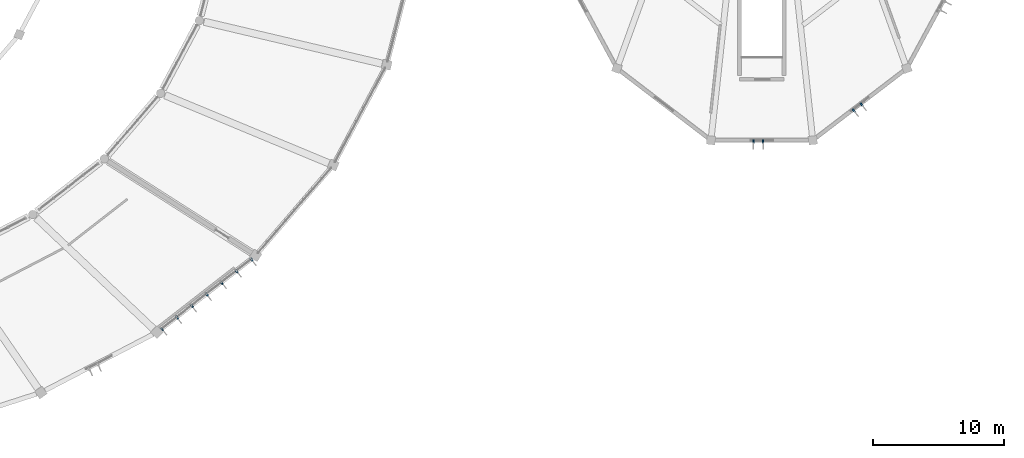
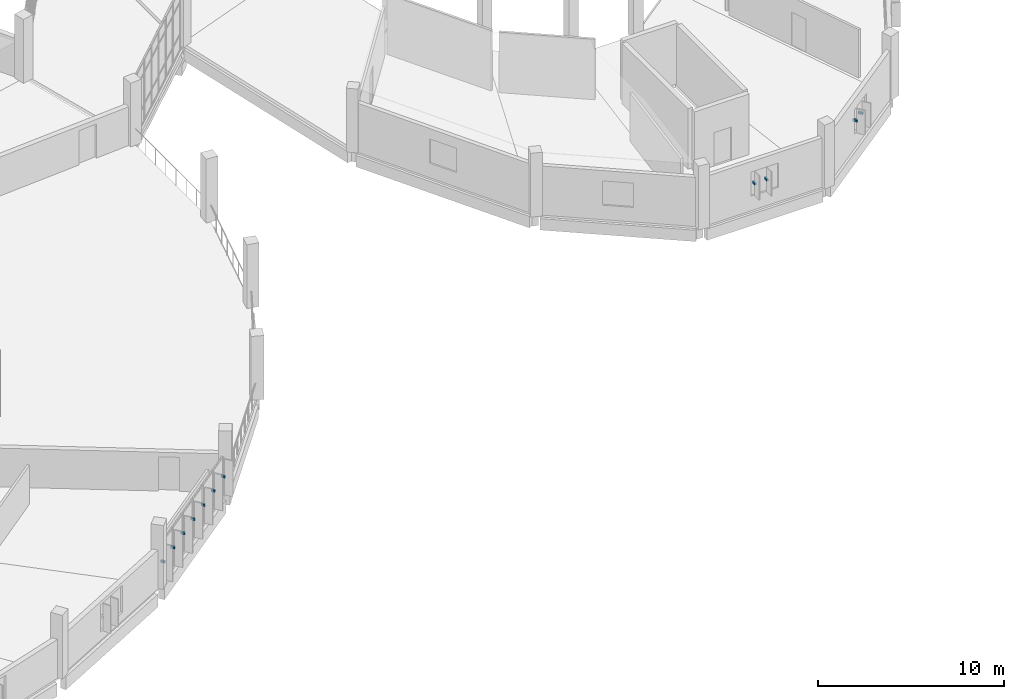
# One storey, part 115 of 142: 11 discrete accessories.
"""IFC4 building model written with IfcOpenShell, lengths in metres."""

from ifc_helpers import new_model, si_unit, direction, frame, origin, origin_2d, place, context, subcontext, project, spatial, rectangle, extrude, material, type_object, element, save


model = new_model("IFC4")

# Units and contexts
model_context = context("Model", 3, precision=1e-05, world=origin(), true_north=direction((0.0, 1.0)))
body_context = subcontext(model_context, "Body", "Model", "MODEL_VIEW")
ifc_project = project(units=[si_unit("LENGTHUNIT", "METRE"), si_unit("AREAUNIT", "SQUARE_METRE"), si_unit("VOLUMEUNIT", "CUBIC_METRE"), si_unit("PLANEANGLEUNIT", "RADIAN"), si_unit("MASSUNIT", "GRAM", prefix="KILO")], contexts=[model_context])

# Site, building, storey
site_placement = place(None, origin())
site = spatial("IfcSite", under=ifc_project, at=site_placement, CompositionType="ELEMENT")
building_placement = place(site_placement, origin())
building = spatial("IfcBuilding", under=site, at=building_placement, Name="Corvandel Quay Wholesale Market", CompositionType="ELEMENT")
storey_placement = place(building_placement, frame((0.0, 0.0, 10.800048828125)))
storey = spatial("IfcBuildingStorey", under=building, at=storey_placement, Name="L02", CompositionType="ELEMENT", Elevation=10.800048828125)

# Discrete accessories
ifc_material = material(Name="Austenitic stainless steel Grade 316", Category="steel")
discrete_accessory_type = type_object("IfcDiscreteAccessoryType", Name="Stainless Solar Fin Fixing Bracket BRK01", PredefinedType="USERDEFINED", material=ifc_material)
for number, where, z_axis, x_axis, name in (
    (1, (148.81494140625, 9.60498046875, 1.205078125), (0.0, 0.0, 1.0), (-0.614009720373, 0.789298462742, 0.0), "Fin Bracket 0210"),
    (2, (149.9501953125, 10.488037109375, 1.205078125), (0.0, 0.0, 1.0), (-0.614009720373, 0.789298462742, 0.0), "Fin Bracket 0211"),
    (3, (151.085693359375, 11.37109375, 1.205078125), (0.0, 0.0, 1.0), (-0.614009720373, 0.789298462742, 0.0), "Fin Bracket 0212"),
    (4, (152.220703125, 12.254150390625, 1.205078125), (0.0, 0.0, 1.0), (-0.614009720373, 0.789298462742, 0.0), "Fin Bracket 0213"),
    (5, (153.356201171875, 13.13720703125, 1.205078125), (0.0, 0.0, 1.0), (-0.614009720373, 0.789298462742, 0.0), "Fin Bracket 0214"),
    (6, (154.491455078125, 14.020263671875, 1.205078125), (0.0, 0.0, 1.0), (-0.614009720373, 0.789298462742, 0.0), "Fin Bracket 0215"),
    (7, (155.626708984375, 14.9033203125, 1.205078125), (0.0, 0.0, 1.0), (-0.614009720373, 0.789298462742, 0.0), "Fin Bracket 0216"),
):
    element("IfcDiscreteAccessory", number, at=place(storey_placement, frame(where, z_axis=z_axis, x_axis=x_axis)), inside=storey, type_object=discrete_accessory_type, Name=name, ObjectType="BRACKET", PredefinedType="USERDEFINED", context=body_context, shape_type="SweptSolid", body=[
        extrude(rectangle(XDim=0.239990234375, YDim=0.1201171875, at=origin_2d()), origin(), (0.0, 0.0, 1.0), 0.139892578125),
    ])
for number, where, z_axis, x_axis, name in (
    (8, (193.85009765625, 23.89990234375, 1.68017578125), (0.0, 0.0, 1.0), (0.0, 1.0, 0.0), "Fin Bracket 0637"),
    (9, (194.60009765625, 23.89990234375, 1.68017578125), (0.0, 0.0, 1.0), (0.0, 1.0, 0.0), "Fin Bracket 0638"),
    (10, (201.506591796875, 26.26611328125, 1.68017578125), (0.0, 0.0, 1.0), (-0.607514481979, 0.794308601354, 0.0), "Fin Bracket 0648"),
    (11, (202.1025390625, 26.7216796875, 1.68017578125), (0.0, 0.0, 1.0), (-0.607514481979, 0.794308601354, 0.0), "Fin Bracket 0649"),
):
    element("IfcDiscreteAccessory", number, at=place(storey_placement, frame(where, z_axis=z_axis, x_axis=x_axis)), inside=storey, type_object=discrete_accessory_type, Name=name, ObjectType="BRACKET", PredefinedType="USERDEFINED", context=body_context, shape_type="SweptSolid", body=[
        extrude(rectangle(XDim=0.280029296875, YDim=0.1201171875, at=origin_2d()), origin(), (0.0, 0.0, 1.0), 0.139892578125),
    ])

save(model, "model.ifc")
